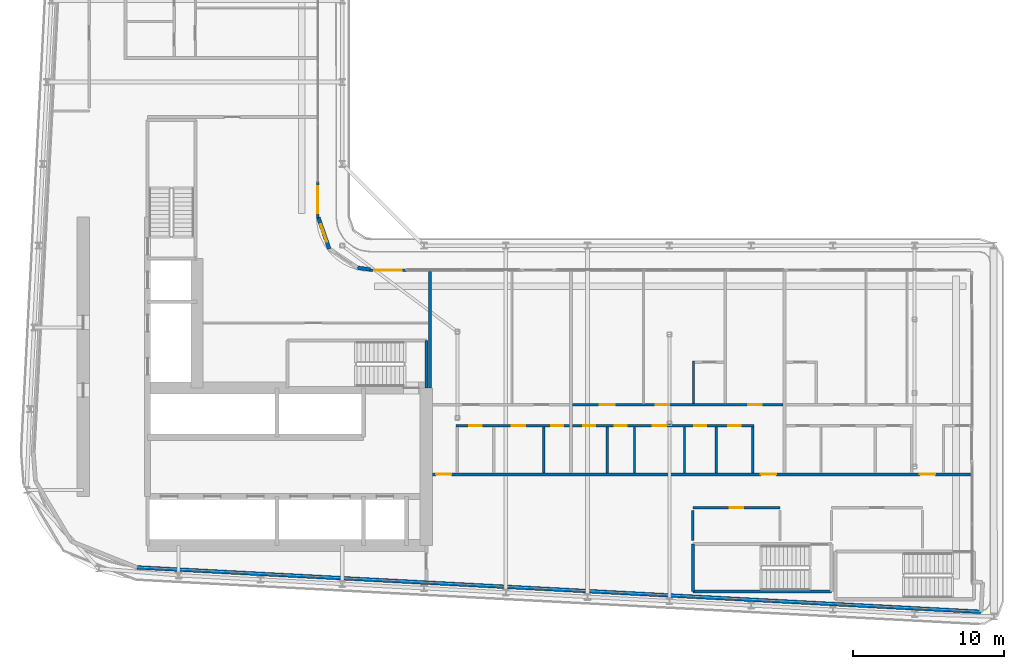
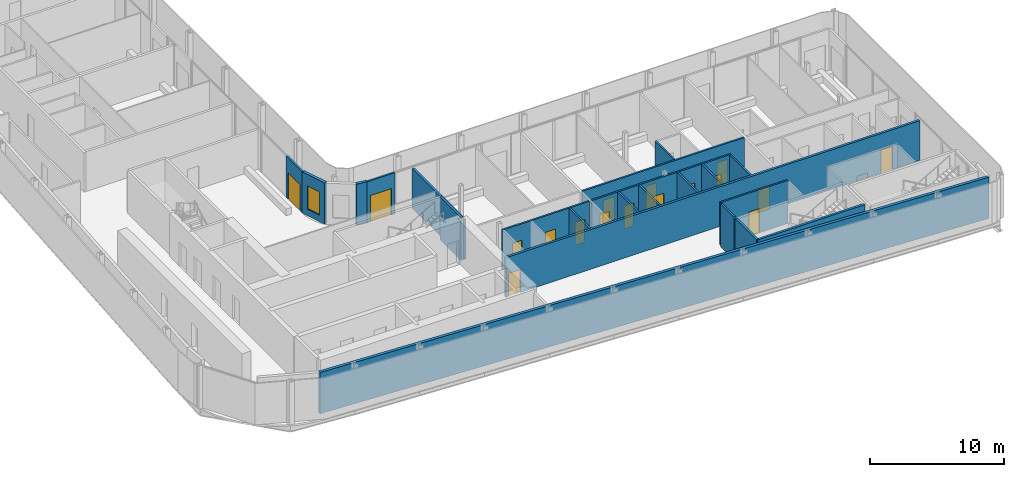
# One storey, part 14 of 26: 22 walls, 17 doors, 1 window, 18 openings.
"""IFC4 building model written with IfcOpenShell, lengths in metres."""

from ifc_helpers import new_model, si_unit, direction, frame, frame_2d, origin, place, context, subcontext, project, spatial, rectangle, extrude, source, transform, mapped, material, layer, layer_set, type_object, element, fill, save


model = new_model("IFC4")

# Units and contexts
model_context = context("Model", 3, precision=1e-05, world=origin(), true_north=direction((0.0, 1.0)))
body_context = subcontext(model_context, "Body", "Model", "MODEL_VIEW")
ifc_project = project(units=[si_unit("LENGTHUNIT", "METRE"), si_unit("AREAUNIT", "SQUARE_METRE"), si_unit("VOLUMEUNIT", "CUBIC_METRE"), si_unit("PLANEANGLEUNIT", "RADIAN"), si_unit("MASSUNIT", "GRAM", prefix="KILO")], contexts=[model_context])

# Site, building, storey
site_placement = place(None, origin())
site = spatial("IfcSite", under=ifc_project, at=site_placement, CompositionType="ELEMENT")
building_placement = place(site_placement, origin())
building = spatial("IfcBuilding", under=site, at=building_placement, Name="Kheshtan School and Residences Tower", CompositionType="ELEMENT")
storey_placement = place(building_placement, frame((0.0, 0.0, 156.5)))
storey = spatial("IfcBuildingStorey", under=building, at=storey_placement, Name="L36", CompositionType="ELEMENT", Elevation=156.5)

# Wall, openings, doors
ifc_material_1 = material(Name="Gypsum board on steel studs with fire boards", Category="steel")
ifc_layer_1 = layer(ifc_material_1, 0.199951171875)
ifc_layer_set_1 = layer_set([ifc_layer_1], Name="Corridor wall 200")
wall_type_1 = type_object("IfcWallType", Name="Corridor wall 200", PredefinedType="PARTITIONING", material=ifc_layer_set_1)
wall_1_placement = place(storey_placement, frame((53.549072265625, 30.5, 0.0), z_axis=(0.0, 0.0, 1.0), x_axis=(1.0, 0.0, 0.0)))
wall_1 = element("IfcWall", 1, at=wall_1_placement, inside=storey, type_object=wall_type_1, Name="Partition L36-032", PredefinedType="PARTITIONING", context=body_context, shape_type="SweptSolid", body=[
    extrude(rectangle(XDim=35.551025390625, YDim=0.199951171875, at=frame_2d((17.775390625, 0.0))), origin(), (0.0, 0.0, 1.0), 3.60009765625),
])
opening_1_placement = place(wall_1_placement, frame((0.2509765625, 0.0, 0.0)))
opening_1 = element("IfcOpeningElement", 2, at=opening_1_placement, cuts=wall_1, Name="Opening D35-003", PredefinedType="OPENING", context=body_context, shape_type="SweptSolid", body=[
    extrude(rectangle(XDim=1.0, YDim=2.10009765625, at=frame_2d((0.5, 1.050048828125))), frame((0.0, 0.10986328125, 0.0), z_axis=(0.0, -1.0, 0.0), x_axis=(1.0, 0.0, 0.0)), (0.0, 0.0, 1.0), 0.219970703125),
])
opening_2_placement = place(wall_1_placement, frame((21.700927734375, 0.0, 0.0)))
opening_2 = element("IfcOpeningElement", 3, at=opening_2_placement, cuts=wall_1, Name="Opening D35-011", PredefinedType="OPENING", context=body_context, shape_type="SweptSolid", body=[
    extrude(rectangle(XDim=1.0, YDim=2.10009765625, at=frame_2d((0.5, 1.050048828125))), frame((0.0, 0.10986328125, 0.0), z_axis=(0.0, -1.0, 0.0), x_axis=(1.0, 0.0, 0.0)), (0.0, 0.0, 1.0), 0.219970703125),
])
opening_3_placement = place(wall_1_placement, frame((32.200927734375, 0.0, 0.0)))
opening_3 = element("IfcOpeningElement", 4, at=opening_3_placement, cuts=wall_1, Name="Opening D35-021", PredefinedType="OPENING", context=body_context, shape_type="SweptSolid", body=[
    extrude(rectangle(XDim=1.0, YDim=2.10009765625, at=frame_2d((0.5, 1.050048828125))), frame((0.0, 0.10986328125, 0.0), z_axis=(0.0, -1.0, 0.0), x_axis=(1.0, 0.0, 0.0)), (0.0, 0.0, 1.0), 0.219970703125),
])
ifc_material_2 = material(Name="Steel-framed fire-resisting door leaf", Category="steel")
door_type_1 = type_object("IfcDoorType", Name="Fire door FD30S 1000 x 2100", OperationType="SINGLE_SWING_LEFT", PredefinedType="DOOR", material=ifc_material_2)
shared_shape_1 = source(origin(), body_context, "Body", "SweptSolid", [
    extrude(rectangle(XDim=1.0, YDim=2.10009765625, at=frame_2d((0.5, 1.050048828125))), frame((0.0, 0.02490234375, 0.0), z_axis=(0.0, -1.0, 0.0), x_axis=(1.0, 0.0, 0.0)), (0.0, 0.0, 1.0), 0.050048828125),
])
door_1_placement = place(opening_1_placement, origin())
door_1 = element("IfcDoor", 5, at=door_1_placement, inside=storey, type_object=door_type_1, Name="Door D35-003", OperationType="SINGLE_SWING_LEFT", OverallHeight=2.10009765625, OverallWidth=1.0, PredefinedType="DOOR", context=body_context, shape_type="MappedRepresentation", body=[
    mapped(shared_shape_1, transform((0.0, 0.0, 0.0), x_axis=(1.0, 0.0, 0.0), y_axis=(0.0, 1.0, 0.0), z_axis=(0.0, 0.0, 1.0), scale=1.0)),
])
fill(opening_1, door_1)
door_2_placement = place(opening_2_placement, origin())
door_2 = element("IfcDoor", 6, at=door_2_placement, inside=storey, type_object=door_type_1, Name="Door D35-011", OperationType="SINGLE_SWING_LEFT", OverallHeight=2.10009765625, OverallWidth=1.0, PredefinedType="DOOR", context=body_context, shape_type="MappedRepresentation", body=[
    mapped(shared_shape_1, transform((0.0, 0.0, 0.0), x_axis=(1.0, 0.0, 0.0), y_axis=(0.0, 1.0, 0.0), z_axis=(0.0, 0.0, 1.0), scale=1.0)),
])
fill(opening_2, door_2)
door_3_placement = place(opening_3_placement, origin())
door_3 = element("IfcDoor", 7, at=door_3_placement, inside=storey, type_object=door_type_1, Name="Door D35-021", OperationType="SINGLE_SWING_RIGHT", OverallHeight=2.10009765625, OverallWidth=1.0, PredefinedType="DOOR", context=body_context, shape_type="MappedRepresentation", body=[
    mapped(shared_shape_1, transform((0.0, 0.0, 0.0), x_axis=(1.0, 0.0, 0.0), y_axis=(0.0, 1.0, 0.0), z_axis=(0.0, 0.0, 1.0), scale=1.0)),
])
fill(opening_3, door_3)

# Wall, opening, window
ifc_material_3 = material(Name="Concrete C40/50 with ceramic cladding and mineral wool insulation", Category="concrete")
ifc_layer_2 = layer(ifc_material_3, 0.25)
ifc_layer_set_2 = layer_set([ifc_layer_2], Name="External wall 250 ceramic clad")
wall_type_2 = type_object("IfcWallType", Name="External wall 250 ceramic clad", PredefinedType="SOLIDWALL", material=ifc_layer_set_2)
wall_2_placement = place(storey_placement, frame((46.01806640625, 47.470947265625, 0.0), z_axis=(0.0, 0.0, 1.0), x_axis=(0.328791208903, -0.944402637093, 0.0)))
wall_2 = element("IfcWall", 8, at=wall_2_placement, inside=storey, type_object=wall_type_2, Name="External wall L36 9", PredefinedType="SOLIDWALL", context=body_context, shape_type="SweptSolid", body=[
    extrude(rectangle(XDim=2.20458984375, YDim=0.25, at=frame_2d((1.102294921875, 0.0))), origin(), (0.0, 0.0, 1.0), 3.75),
])
opening_4_placement = place(wall_2_placement, frame((0.5029296875, 0.0, 0.60009765625)))
opening_4 = element("IfcOpeningElement", 9, at=opening_4_placement, cuts=wall_2, Name="Opening WN-E", PredefinedType="OPENING", context=body_context, shape_type="SweptSolid", body=[
    extrude(rectangle(XDim=1.199951171875, YDim=2.10009765625, at=frame_2d((0.60009765625, 1.050048828125))), frame((0.0, 0.135009765625, 0.0), z_axis=(0.0, -1.0, 0.0), x_axis=(1.0, 0.0, 0.0)), (0.0, 0.0, 1.0), 0.27001953125),
])
ifc_material_4 = material(Name="Clear low-e glass in thermally broken aluminium frame", Category="aluminium")
window_type = type_object("IfcWindowType", Name="Window WN-E", PartitioningType="SINGLE_PANEL", PredefinedType="WINDOW", material=ifc_material_4)
shared_shape_2 = source(origin(), body_context, "Body", "SweptSolid", [
    extrude(rectangle(XDim=1.199951171875, YDim=2.10009765625, at=frame_2d((0.60009765625, 1.050048828125))), frame((0.0, 0.030029296875, 0.0), z_axis=(0.0, -1.0, 0.0), x_axis=(1.0, 0.0, 0.0)), (0.0, 0.0, 1.0), 0.06005859375),
])
window_placement = place(opening_4_placement, origin())
window = element("IfcWindow", 10, at=window_placement, inside=storey, type_object=window_type, Name="Window L36 9", OverallHeight=2.10009765625, OverallWidth=1.199951171875, PartitioningType="SINGLE_PANEL", PredefinedType="WINDOW", context=body_context, shape_type="MappedRepresentation", body=[
    mapped(shared_shape_2, transform((0.0, 0.0, 0.0), x_axis=(1.0, 0.0, 0.0), y_axis=(0.0, 1.0, 0.0), z_axis=(0.0, 0.0, 1.0), scale=1.0)),
])
fill(opening_4, window)

# Walls
wall_3_placement = place(storey_placement, frame((48.614990234375, 44.137939453125, 0.0), z_axis=(0.0, 0.0, 1.0), x_axis=(0.990741504246, -0.135761819977, 0.0)))
element("IfcWall", 11, at=wall_3_placement, inside=storey, type_object=wall_type_2, Name="External wall L36 11", PredefinedType="SOLIDWALL", context=body_context, shape_type="SweptSolid", body=[
    extrude(rectangle(XDim=0.83984375, YDim=0.25, at=frame_2d((0.419921875, 0.0))), origin(), (0.0, 0.0, 1.0), 3.75),
])
wall_4_placement = place(storey_placement, frame((89.785888671875, 21.4189453125, 0.0), z_axis=(0.0, 0.0, 1.0), x_axis=(-0.998617793089, 0.052559521752, 0.0)))
element("IfcWall", 12, at=wall_4_placement, inside=storey, type_object=wall_type_2, Name="External wall L36 16", PredefinedType="SOLIDWALL", context=body_context, shape_type="SweptSolid", body=[
    extrude(rectangle(XDim=55.823974609375, YDim=0.25, at=frame_2d((27.912109375, 0.0))), origin(), (0.0, 0.0, 1.0), 3.75),
])

# Wall, opening, door
ifc_material_5 = material(Name="Aluminium frame wall with insulated infill", Category="aluminium")
ifc_layer_3 = layer(ifc_material_5, 0.14990234375)
ifc_layer_set_3 = layer_set([ifc_layer_3], Name="Glazing frame wall 150")
wall_type_3 = type_object("IfcWallType", Name="Glazing frame wall 150", PredefinedType="SOLIDWALL", material=ifc_layer_set_3)
wall_5_placement = place(storey_placement, frame((45.97509765625, 49.830078125, 0.0), z_axis=(0.0, 0.0, 1.0), x_axis=(0.0, -1.0, 0.0)))
wall_5 = element("IfcWall", 13, at=wall_5_placement, inside=storey, type_object=wall_type_3, Name="Balcony door wall L36 8.5", PredefinedType="SOLIDWALL", context=body_context, shape_type="SweptSolid", body=[
    extrude(rectangle(XDim=2.400146484375, YDim=0.14990234375, at=frame_2d((1.2001953125, 0.0))), origin(), (0.0, 0.0, 1.0), 3.75),
])
opening_5_placement = place(wall_5_placement, frame((0.300048828125, 0.0, 0.0)))
opening_5 = element("IfcOpeningElement", 14, at=opening_5_placement, cuts=wall_5, Name="Opening BD", PredefinedType="OPENING", context=body_context, shape_type="SweptSolid", body=[
    extrude(rectangle(XDim=1.800048828125, YDim=2.39990234375, at=frame_2d((0.89990234375, 1.199951171875))), frame((0.0, 0.0849609375, 0.0), z_axis=(0.0, -1.0, 0.0), x_axis=(1.0, 0.0, 0.0)), (0.0, 0.0, 1.0), 0.169921875),
])
door_type_2 = type_object("IfcDoorType", Name="Balcony sliding door", OperationType="SLIDING_TO_LEFT", PredefinedType="DOOR", material=ifc_material_4)
shared_shape_3 = source(origin(), body_context, "Body", "SweptSolid", [
    extrude(rectangle(XDim=1.800048828125, YDim=2.39990234375, at=frame_2d((0.89990234375, 1.199951171875))), frame((0.0, 0.02490234375, 0.0), z_axis=(0.0, -1.0, 0.0), x_axis=(1.0, 0.0, 0.0)), (0.0, 0.0, 1.0), 0.050048828125),
])
door_4_placement = place(opening_5_placement, origin())
door_4 = element("IfcDoor", 15, at=door_4_placement, inside=storey, type_object=door_type_2, Name="Balcony door L36 8.5", OperationType="SLIDING_TO_LEFT", OverallHeight=2.39990234375, OverallWidth=1.800048828125, PredefinedType="DOOR", context=body_context, shape_type="MappedRepresentation", body=[
    mapped(shared_shape_3, transform((0.0, 0.0, 0.0), x_axis=(1.0, 0.0, 0.0), y_axis=(0.0, 1.0, 0.0), z_axis=(0.0, 0.0, 1.0), scale=1.0)),
])
fill(opening_5, door_4)

wall_6_placement = place(storey_placement, frame((49.429931640625, 43.97509765625, 0.0), z_axis=(0.0, 0.0, 1.0), x_axis=(1.0, 0.0, 0.0)))
wall_6 = element("IfcWall", 16, at=wall_6_placement, inside=storey, type_object=wall_type_3, Name="Balcony door wall L36 12.1", PredefinedType="SOLIDWALL", context=body_context, shape_type="SweptSolid", body=[
    extrude(rectangle(XDim=2.400146484375, YDim=0.14990234375, at=frame_2d((1.2001953125, 0.0))), origin(), (0.0, 0.0, 1.0), 3.75),
])
opening_6_placement = place(wall_6_placement, frame((0.300048828125, 0.0, 0.0)))
opening_6 = element("IfcOpeningElement", 17, at=opening_6_placement, cuts=wall_6, Name="Opening BD", PredefinedType="OPENING", context=body_context, shape_type="SweptSolid", body=[
    extrude(rectangle(XDim=1.800048828125, YDim=2.39990234375, at=frame_2d((0.89990234375, 1.199951171875))), frame((0.0, 0.0849609375, 0.0), z_axis=(0.0, -1.0, 0.0), x_axis=(1.0, 0.0, 0.0)), (0.0, 0.0, 1.0), 0.169921875),
])
door_5_placement = place(opening_6_placement, origin())
door_5 = element("IfcDoor", 18, at=door_5_placement, inside=storey, type_object=door_type_2, Name="Balcony door L36 12.1", OperationType="SLIDING_TO_LEFT", OverallHeight=2.39990234375, OverallWidth=1.800048828125, PredefinedType="DOOR", context=body_context, shape_type="MappedRepresentation", body=[
    mapped(shared_shape_3, transform((0.0, 0.0, 0.0), x_axis=(1.0, 0.0, 0.0), y_axis=(0.0, 1.0, 0.0), z_axis=(0.0, 0.0, 1.0), scale=1.0)),
])
fill(opening_6, door_5)

ifc_material_6 = material(Name="Fire-board shaft wall system")
ifc_layer_4 = layer(ifc_material_6, 0.14990234375)
ifc_layer_set_4 = layer_set([ifc_layer_4], Name="Service room wall 150")
wall_type_4 = type_object("IfcWallType", Name="Service room wall 150", PredefinedType="PARTITIONING", material=ifc_layer_set_4)
wall_7_placement = place(storey_placement, frame((70.75, 28.300048828125, 0.0), z_axis=(0.0, 0.0, 1.0), x_axis=(1.0, 0.0, 0.0)))
wall_7 = element("IfcWall", 19, at=wall_7_placement, inside=storey, type_object=wall_type_4, Name="Service room wall", PredefinedType="PARTITIONING", context=body_context, shape_type="SweptSolid", body=[
    extrude(rectangle(XDim=5.760009765625, YDim=0.14990234375, at=frame_2d((2.8798828125, 0.0))), origin(), (0.0, 0.0, 1.0), 3.89990234375),
])
opening_7_placement = place(wall_7_placement, frame((2.429931640625, 0.0, 0.0)))
opening_7 = element("IfcOpeningElement", 20, at=opening_7_placement, cuts=wall_7, Name="Opening SR90", PredefinedType="OPENING", context=body_context, shape_type="SweptSolid", body=[
    extrude(rectangle(XDim=0.89990234375, YDim=2.199951171875, at=frame_2d((0.449951171875, 1.10009765625))), frame((0.0, 0.0849609375, 0.0), z_axis=(0.0, -1.0, 0.0), x_axis=(1.0, 0.0, 0.0)), (0.0, 0.0, 1.0), 0.169921875),
])
ifc_material_7 = material(Name="Steel door leaf, galvanised", Category="steel")
door_type_3 = type_object("IfcDoorType", Name="Service room door 900 steel 90 min", OperationType="SINGLE_SWING_LEFT", PredefinedType="DOOR", material=ifc_material_7)
shared_shape_4 = source(origin(), body_context, "Body", "SweptSolid", [
    extrude(rectangle(XDim=0.89990234375, YDim=2.199951171875, at=frame_2d((0.449951171875, 1.10009765625))), frame((0.0, 0.02490234375, 0.0), z_axis=(0.0, -1.0, 0.0), x_axis=(1.0, 0.0, 0.0)), (0.0, 0.0, 1.0), 0.050048828125),
])
door_6_placement = place(opening_7_placement, origin())
door_6 = element("IfcDoor", 21, at=door_6_placement, inside=storey, type_object=door_type_3, Name="Service room door", OperationType="SINGLE_SWING_LEFT", OverallHeight=2.199951171875, OverallWidth=0.89990234375, PredefinedType="DOOR", context=body_context, shape_type="MappedRepresentation", body=[
    mapped(shared_shape_4, transform((0.0, 0.0, 0.0), x_axis=(1.0, 0.0, 0.0), y_axis=(0.0, 1.0, 0.0), z_axis=(0.0, 0.0, 1.0), scale=1.0)),
])
fill(opening_7, door_6)

# Walls
wall_8_placement = place(storey_placement, frame((70.75, 26.1201171875, 0.0), z_axis=(0.0, 0.0, 1.0), x_axis=(0.0, 1.0, 0.0)))
element("IfcWall", 22, at=wall_8_placement, inside=storey, type_object=wall_type_4, Name="Service room wall", PredefinedType="PARTITIONING", context=body_context, shape_type="SweptSolid", body=[
    extrude(rectangle(XDim=1.98486328125, YDim=0.14990234375, at=frame_2d((0.992431640625, 0.0))), origin(), (0.0, 0.0, 1.0), 3.89990234375),
])
ifc_material_8 = material(Name="Concrete C40/50", Category="concrete")
ifc_layer_5 = layer(ifc_material_8, 0.199951171875)
ifc_layer_set_5 = layer_set([ifc_layer_5], Name="Stair enclosure wall 200 Concrete C40/50")
wall_type_5 = type_object("IfcWallType", Name="Stair enclosure wall 200 Concrete C40/50", PredefinedType="SHEAR", material=ifc_layer_set_5)
wall_9_placement = place(storey_placement, frame((53.14990234375, 36.199951171875, 0.0), z_axis=(0.0, 0.0, 1.0), x_axis=(0.0, 1.0, 0.0)))
element("IfcWall", 23, at=wall_9_placement, inside=storey, type_object=wall_type_5, Name="Stair enclosure wall ST1", PredefinedType="SHEAR", context=body_context, shape_type="SweptSolid", body=[
    extrude(rectangle(XDim=3.150146484375, YDim=0.199951171875, at=frame_2d((1.5751953125, 0.0))), origin(), (0.0, 0.0, 1.0), 3.89990234375),
])
wall_10_placement = place(storey_placement, frame((70.75, 22.75, 0.0), z_axis=(0.0, 0.0, 1.0), x_axis=(1.0, 0.0, 0.0)))
element("IfcWall", 24, at=wall_10_placement, inside=storey, type_object=wall_type_5, Name="Stair enclosure wall ST5", PredefinedType="SHEAR", context=body_context, shape_type="SweptSolid", body=[
    extrude(rectangle(XDim=9.159912109375, YDim=0.199951171875, at=frame_2d((4.580078125, 0.0))), origin(), (0.0, 0.0, 1.0), 3.89990234375),
])
wall_11_placement = place(storey_placement, frame((70.75, 22.75, 0.0), z_axis=(0.0, 0.0, 1.0), x_axis=(0.0, 1.0, 0.0)))
element("IfcWall", 25, at=wall_11_placement, inside=storey, type_object=wall_type_5, Name="Stair enclosure wall ST5", PredefinedType="SHEAR", context=body_context, shape_type="SweptSolid", body=[
    extrude(rectangle(XDim=3.14990234375, YDim=0.199951171875, at=frame_2d((1.574951171875, 0.0))), origin(), (0.0, 0.0, 1.0), 3.89990234375),
])
ifc_material_9 = material(Name="Twin gypsum board on steel studs with mineral wool", Category="steel")
ifc_layer_6 = layer(ifc_material_9, 0.199951171875)
ifc_layer_set_6 = layer_set([ifc_layer_6], Name="Unit demising wall 200")
wall_type_6 = type_object("IfcWallType", Name="Unit demising wall 200", PredefinedType="PARTITIONING", material=ifc_layer_set_6)
wall_12_placement = place(storey_placement, frame((53.39990234375, 36.198974609375, 0.0), z_axis=(0.0, 0.0, 1.0), x_axis=(0.0, 1.0, 0.0)))
element("IfcWall", 26, at=wall_12_placement, inside=storey, type_object=wall_type_6, Name="Partition L36-031", PredefinedType="PARTITIONING", context=body_context, shape_type="SweptSolid", body=[
    extrude(rectangle(XDim=7.700927734375, YDim=0.199951171875, at=frame_2d((3.8505859375, 0.0))), origin(), (0.0, 0.0, 1.0), 3.60009765625),
])

# Wall, openings, doors
ifc_material_10 = material(Name="Moisture-resistant gypsum board on steel studs", Category="steel")
ifc_layer_7 = layer(ifc_material_10, 0.14990234375)
ifc_layer_set_7 = layer_set([ifc_layer_7], Name="Wet-room partition 150")
wall_type_7 = type_object("IfcWallType", Name="Wet-room partition 150", PredefinedType="PARTITIONING", material=ifc_layer_set_7)
wall_13_placement = place(storey_placement, frame((55.125, 33.699951171875, 0.0), z_axis=(0.0, 0.0, 1.0), x_axis=(1.0, 0.0, 0.0)))
wall_13 = element("IfcWall", 27, at=wall_13_placement, inside=storey, type_object=wall_type_7, Name="Partition L36-034", PredefinedType="PARTITIONING", context=body_context, shape_type="SweptSolid", body=[
    extrude(rectangle(XDim=7.47509765625, YDim=0.14990234375, at=frame_2d((3.737548828125, 0.0))), origin(), (0.0, 0.0, 1.0), 3.60009765625),
])
opening_8_placement = place(wall_13_placement, frame((0.875, 0.0, 0.0)))
opening_8 = element("IfcOpeningElement", 28, at=opening_8_placement, cuts=wall_13, Name="Opening D35-001", PredefinedType="OPENING", context=body_context, shape_type="SweptSolid", body=[
    extrude(rectangle(XDim=0.800048828125, YDim=2.10009765625, at=frame_2d((0.39990234375, 1.050048828125))), frame((0.0, 0.0849609375, 0.0), z_axis=(0.0, -1.0, 0.0), x_axis=(1.0, 0.0, 0.0)), (0.0, 0.0, 1.0), 0.169921875),
])
opening_9_placement = place(wall_13_placement, frame((3.675048828125, 0.0, 0.0)))
opening_9 = element("IfcOpeningElement", 29, at=opening_9_placement, cuts=wall_13, Name="Opening D35-004", PredefinedType="OPENING", context=body_context, shape_type="SweptSolid", body=[
    extrude(rectangle(XDim=0.89990234375, YDim=2.10009765625, at=frame_2d((0.449951171875, 1.050048828125))), frame((0.0, 0.0849609375, 0.0), z_axis=(0.0, -1.0, 0.0), x_axis=(1.0, 0.0, 0.0)), (0.0, 0.0, 1.0), 0.169921875),
])
opening_10_placement = place(wall_13_placement, frame((6.27490234375, 0.0, 0.0)))
opening_10 = element("IfcOpeningElement", 30, at=opening_10_placement, cuts=wall_13, Name="Opening D35-006", PredefinedType="OPENING", context=body_context, shape_type="SweptSolid", body=[
    extrude(rectangle(XDim=0.800048828125, YDim=2.10009765625, at=frame_2d((0.39990234375, 1.050048828125))), frame((0.0, 0.0849609375, 0.0), z_axis=(0.0, -1.0, 0.0), x_axis=(1.0, 0.0, 0.0)), (0.0, 0.0, 1.0), 0.169921875),
])
ifc_material_11 = material(Name="Veneered timber door leaf", Category="wood")
door_type_4 = type_object("IfcDoorType", Name="Door 800 x 2100", OperationType="SINGLE_SWING_LEFT", PredefinedType="DOOR", material=ifc_material_11)
shared_shape_5 = source(origin(), body_context, "Body", "SweptSolid", [
    extrude(rectangle(XDim=0.800048828125, YDim=2.10009765625, at=frame_2d((0.39990234375, 1.050048828125))), frame((0.0, 0.02490234375, 0.0), z_axis=(0.0, -1.0, 0.0), x_axis=(1.0, 0.0, 0.0)), (0.0, 0.0, 1.0), 0.050048828125),
])
door_7_placement = place(opening_8_placement, origin())
door_7 = element("IfcDoor", 31, at=door_7_placement, inside=storey, type_object=door_type_4, Name="Door D35-001", OperationType="SINGLE_SWING_RIGHT", OverallHeight=2.10009765625, OverallWidth=0.800048828125, PredefinedType="DOOR", context=body_context, shape_type="MappedRepresentation", body=[
    mapped(shared_shape_5, transform((0.0, 0.0, 0.0), x_axis=(1.0, 0.0, 0.0), y_axis=(0.0, 1.0, 0.0), z_axis=(0.0, 0.0, 1.0), scale=1.0)),
])
fill(opening_8, door_7)
door_8_placement = place(opening_10_placement, origin())
door_8 = element("IfcDoor", 32, at=door_8_placement, inside=storey, type_object=door_type_4, Name="Door D35-006", OperationType="SINGLE_SWING_RIGHT", OverallHeight=2.10009765625, OverallWidth=0.800048828125, PredefinedType="DOOR", context=body_context, shape_type="MappedRepresentation", body=[
    mapped(shared_shape_5, transform((0.0, 0.0, 0.0), x_axis=(1.0, 0.0, 0.0), y_axis=(0.0, 1.0, 0.0), z_axis=(0.0, 0.0, 1.0), scale=1.0)),
])
fill(opening_10, door_8)
door_type_5 = type_object("IfcDoorType", Name="Door 900 x 2100", OperationType="SINGLE_SWING_LEFT", PredefinedType="DOOR", material=ifc_material_11)
shared_shape_6 = source(origin(), body_context, "Body", "SweptSolid", [
    extrude(rectangle(XDim=0.89990234375, YDim=2.10009765625, at=frame_2d((0.449951171875, 1.050048828125))), frame((0.0, 0.02490234375, 0.0), z_axis=(0.0, -1.0, 0.0), x_axis=(1.0, 0.0, 0.0)), (0.0, 0.0, 1.0), 0.050048828125),
])
door_9_placement = place(opening_9_placement, origin())
door_9 = element("IfcDoor", 33, at=door_9_placement, inside=storey, type_object=door_type_5, Name="Door D35-004", OperationType="SINGLE_SWING_RIGHT", OverallHeight=2.10009765625, OverallWidth=0.89990234375, PredefinedType="DOOR", context=body_context, shape_type="MappedRepresentation", body=[
    mapped(shared_shape_6, transform((0.0, 0.0, 0.0), x_axis=(1.0, 0.0, 0.0), y_axis=(0.0, 1.0, 0.0), z_axis=(0.0, 0.0, 1.0), scale=1.0)),
])
fill(opening_9, door_9)

# Wall
wall_14_placement = place(storey_placement, frame((60.89990234375, 30.60009765625, 0.0), z_axis=(0.0, 0.0, 1.0), x_axis=(0.0, 1.0, 0.0)))
element("IfcWall", 34, at=wall_14_placement, inside=storey, type_object=wall_type_7, Name="Partition L36-038", PredefinedType="PARTITIONING", context=body_context, shape_type="SweptSolid", body=[
    extrude(rectangle(XDim=3.02490234375, YDim=0.14990234375, at=frame_2d((1.512451171875, 0.0))), origin(), (0.0, 0.0, 1.0), 3.60009765625),
])

# Wall, openings, doors
wall_15_placement = place(storey_placement, frame((62.800048828125, 33.699951171875, 0.0), z_axis=(0.0, 0.0, 1.0), x_axis=(1.0, 0.0, 0.0)))
wall_15 = element("IfcWall", 35, at=wall_15_placement, inside=storey, type_object=wall_type_7, Name="Partition L36-040", PredefinedType="PARTITIONING", context=body_context, shape_type="SweptSolid", body=[
    extrude(rectangle(XDim=11.974853515625, YDim=0.14990234375, at=frame_2d((5.9873046875, 0.0))), origin(), (0.0, 0.0, 1.0), 3.60009765625),
])
opening_11_placement = place(wall_15_placement, frame((10.300048828125, 0.0, 0.0)))
opening_11 = element("IfcOpeningElement", 36, at=opening_11_placement, cuts=wall_15, Name="Opening D35-007", PredefinedType="OPENING", context=body_context, shape_type="SweptSolid", body=[
    extrude(rectangle(XDim=0.800048828125, YDim=2.10009765625, at=frame_2d((0.39990234375, 1.050048828125))), frame((0.0, 0.0849609375, 0.0), z_axis=(0.0, -1.0, 0.0), x_axis=(1.0, 0.0, 0.0)), (0.0, 0.0, 1.0), 0.169921875),
])
opening_12_placement = place(wall_15_placement, frame((0.699951171875, 0.0, 0.0)))
opening_12 = element("IfcOpeningElement", 37, at=opening_12_placement, cuts=wall_15, Name="Opening D35-009", PredefinedType="OPENING", context=body_context, shape_type="SweptSolid", body=[
    extrude(rectangle(XDim=0.800048828125, YDim=2.10009765625, at=frame_2d((0.39990234375, 1.050048828125))), frame((0.0, 0.0849609375, 0.0), z_axis=(0.0, -1.0, 0.0), x_axis=(1.0, 0.0, 0.0)), (0.0, 0.0, 1.0), 0.169921875),
])
opening_13_placement = place(wall_15_placement, frame((5.300048828125, 0.0, 0.0)))
opening_13 = element("IfcOpeningElement", 38, at=opening_13_placement, cuts=wall_15, Name="Opening D35-012", PredefinedType="OPENING", context=body_context, shape_type="SweptSolid", body=[
    extrude(rectangle(XDim=0.89990234375, YDim=2.10009765625, at=frame_2d((0.449951171875, 1.050048828125))), frame((0.0, 0.0849609375, 0.0), z_axis=(0.0, -1.0, 0.0), x_axis=(1.0, 0.0, 0.0)), (0.0, 0.0, 1.0), 0.169921875),
])
opening_14_placement = place(wall_15_placement, frame((8.050048828125, 0.0, 0.0)))
opening_14 = element("IfcOpeningElement", 39, at=opening_14_placement, cuts=wall_15, Name="Opening D35-013", PredefinedType="OPENING", context=body_context, shape_type="SweptSolid", body=[
    extrude(rectangle(XDim=0.800048828125, YDim=2.10009765625, at=frame_2d((0.39990234375, 1.050048828125))), frame((0.0, 0.0849609375, 0.0), z_axis=(0.0, -1.0, 0.0), x_axis=(1.0, 0.0, 0.0)), (0.0, 0.0, 1.0), 0.169921875),
])
opening_15_placement = place(wall_15_placement, frame((2.800048828125, 0.0, 0.0)))
opening_15 = element("IfcOpeningElement", 40, at=opening_15_placement, cuts=wall_15, Name="Opening D35-016", PredefinedType="OPENING", context=body_context, shape_type="SweptSolid", body=[
    extrude(rectangle(XDim=0.800048828125, YDim=2.10009765625, at=frame_2d((0.39990234375, 1.050048828125))), frame((0.0, 0.0849609375, 0.0), z_axis=(0.0, -1.0, 0.0), x_axis=(1.0, 0.0, 0.0)), (0.0, 0.0, 1.0), 0.169921875),
])
door_10_placement = place(opening_11_placement, origin())
door_10 = element("IfcDoor", 41, at=door_10_placement, inside=storey, type_object=door_type_4, Name="Door D35-007", OperationType="SINGLE_SWING_RIGHT", OverallHeight=2.10009765625, OverallWidth=0.800048828125, PredefinedType="DOOR", context=body_context, shape_type="MappedRepresentation", body=[
    mapped(shared_shape_5, transform((0.0, 0.0, 0.0), x_axis=(1.0, 0.0, 0.0), y_axis=(0.0, 1.0, 0.0), z_axis=(0.0, 0.0, 1.0), scale=1.0)),
])
fill(opening_11, door_10)
door_11_placement = place(opening_12_placement, origin())
door_11 = element("IfcDoor", 42, at=door_11_placement, inside=storey, type_object=door_type_4, Name="Door D35-009", OperationType="SINGLE_SWING_RIGHT", OverallHeight=2.10009765625, OverallWidth=0.800048828125, PredefinedType="DOOR", context=body_context, shape_type="MappedRepresentation", body=[
    mapped(shared_shape_5, transform((0.0, 0.0, 0.0), x_axis=(1.0, 0.0, 0.0), y_axis=(0.0, 1.0, 0.0), z_axis=(0.0, 0.0, 1.0), scale=1.0)),
])
fill(opening_12, door_11)
door_12_placement = place(opening_14_placement, origin())
door_12 = element("IfcDoor", 43, at=door_12_placement, inside=storey, type_object=door_type_4, Name="Door D35-013", OperationType="SINGLE_SWING_LEFT", OverallHeight=2.10009765625, OverallWidth=0.800048828125, PredefinedType="DOOR", context=body_context, shape_type="MappedRepresentation", body=[
    mapped(shared_shape_5, transform((0.0, 0.0, 0.0), x_axis=(1.0, 0.0, 0.0), y_axis=(0.0, 1.0, 0.0), z_axis=(0.0, 0.0, 1.0), scale=1.0)),
])
fill(opening_14, door_12)
door_13_placement = place(opening_15_placement, origin())
door_13 = element("IfcDoor", 44, at=door_13_placement, inside=storey, type_object=door_type_4, Name="Door D35-016", OperationType="SINGLE_SWING_LEFT", OverallHeight=2.10009765625, OverallWidth=0.800048828125, PredefinedType="DOOR", context=body_context, shape_type="MappedRepresentation", body=[
    mapped(shared_shape_5, transform((0.0, 0.0, 0.0), x_axis=(1.0, 0.0, 0.0), y_axis=(0.0, 1.0, 0.0), z_axis=(0.0, 0.0, 1.0), scale=1.0)),
])
fill(opening_15, door_13)
door_14_placement = place(opening_13_placement, origin())
door_14 = element("IfcDoor", 45, at=door_14_placement, inside=storey, type_object=door_type_5, Name="Door D35-012", OperationType="SINGLE_SWING_RIGHT", OverallHeight=2.10009765625, OverallWidth=0.89990234375, PredefinedType="DOOR", context=body_context, shape_type="MappedRepresentation", body=[
    mapped(shared_shape_6, transform((0.0, 0.0, 0.0), x_axis=(1.0, 0.0, 0.0), y_axis=(0.0, 1.0, 0.0), z_axis=(0.0, 0.0, 1.0), scale=1.0)),
])
fill(opening_13, door_14)

wall_16_placement = place(storey_placement, frame((62.800048828125, 35.10009765625, 0.0), z_axis=(0.0, 0.0, 1.0), x_axis=(1.0, 0.0, 0.0)))
wall_16 = element("IfcWall", 46, at=wall_16_placement, inside=storey, type_object=wall_type_7, Name="Partition L36-041", PredefinedType="PARTITIONING", context=body_context, shape_type="SweptSolid", body=[
    extrude(rectangle(XDim=13.89990234375, YDim=0.14990234375, at=frame_2d((6.949951171875, 0.0))), origin(), (0.0, 0.0, 1.0), 3.60009765625),
])
opening_16_placement = place(wall_16_placement, frame((11.60009765625, 0.0, 0.0)))
opening_16 = element("IfcOpeningElement", 47, at=opening_16_placement, cuts=wall_16, Name="Opening D35-008", PredefinedType="OPENING", context=body_context, shape_type="SweptSolid", body=[
    extrude(rectangle(XDim=0.89990234375, YDim=2.10009765625, at=frame_2d((0.449951171875, 1.050048828125))), frame((0.0, 0.0849609375, 0.0), z_axis=(0.0, -1.0, 0.0), x_axis=(1.0, 0.0, 0.0)), (0.0, 0.0, 1.0), 0.169921875),
])
opening_17_placement = place(wall_16_placement, frame((1.800048828125, 0.0, 0.0)))
opening_17 = element("IfcOpeningElement", 48, at=opening_17_placement, cuts=wall_16, Name="Opening D35-014", PredefinedType="OPENING", context=body_context, shape_type="SweptSolid", body=[
    extrude(rectangle(XDim=1.0, YDim=2.10009765625, at=frame_2d((0.5, 1.050048828125))), frame((0.0, 0.0849609375, 0.0), z_axis=(0.0, -1.0, 0.0), x_axis=(1.0, 0.0, 0.0)), (0.0, 0.0, 1.0), 0.169921875),
])
opening_18_placement = place(wall_16_placement, frame((5.5, 0.0, 0.0)))
opening_18 = element("IfcOpeningElement", 49, at=opening_18_placement, cuts=wall_16, Name="Opening D35-015", PredefinedType="OPENING", context=body_context, shape_type="SweptSolid", body=[
    extrude(rectangle(XDim=0.89990234375, YDim=2.10009765625, at=frame_2d((0.449951171875, 1.050048828125))), frame((0.0, 0.0849609375, 0.0), z_axis=(0.0, -1.0, 0.0), x_axis=(1.0, 0.0, 0.0)), (0.0, 0.0, 1.0), 0.169921875),
])
door_type_6 = type_object("IfcDoorType", Name="Door 1000 x 2100", OperationType="SINGLE_SWING_LEFT", PredefinedType="DOOR", material=ifc_material_11)
shared_shape_7 = source(origin(), body_context, "Body", "SweptSolid", [
    extrude(rectangle(XDim=1.0, YDim=2.10009765625, at=frame_2d((0.5, 1.050048828125))), frame((0.0, 0.02490234375, 0.0), z_axis=(0.0, -1.0, 0.0), x_axis=(1.0, 0.0, 0.0)), (0.0, 0.0, 1.0), 0.050048828125),
])
door_15_placement = place(opening_17_placement, origin())
door_15 = element("IfcDoor", 50, at=door_15_placement, inside=storey, type_object=door_type_6, Name="Door D35-014", OperationType="SINGLE_SWING_LEFT", OverallHeight=2.10009765625, OverallWidth=1.0, PredefinedType="DOOR", context=body_context, shape_type="MappedRepresentation", body=[
    mapped(shared_shape_7, transform((0.0, 0.0, 0.0), x_axis=(1.0, 0.0, 0.0), y_axis=(0.0, 1.0, 0.0), z_axis=(0.0, 0.0, 1.0), scale=1.0)),
])
fill(opening_17, door_15)
door_16_placement = place(opening_16_placement, origin())
door_16 = element("IfcDoor", 51, at=door_16_placement, inside=storey, type_object=door_type_5, Name="Door D35-008", OperationType="SINGLE_SWING_LEFT", OverallHeight=2.10009765625, OverallWidth=0.89990234375, PredefinedType="DOOR", context=body_context, shape_type="MappedRepresentation", body=[
    mapped(shared_shape_6, transform((0.0, 0.0, 0.0), x_axis=(1.0, 0.0, 0.0), y_axis=(0.0, 1.0, 0.0), z_axis=(0.0, 0.0, 1.0), scale=1.0)),
])
fill(opening_16, door_16)
door_17_placement = place(opening_18_placement, origin())
door_17 = element("IfcDoor", 52, at=door_17_placement, inside=storey, type_object=door_type_5, Name="Door D35-015", OperationType="SINGLE_SWING_RIGHT", OverallHeight=2.10009765625, OverallWidth=0.89990234375, PredefinedType="DOOR", context=body_context, shape_type="MappedRepresentation", body=[
    mapped(shared_shape_6, transform((0.0, 0.0, 0.0), x_axis=(1.0, 0.0, 0.0), y_axis=(0.0, 1.0, 0.0), z_axis=(0.0, 0.0, 1.0), scale=1.0)),
])
fill(opening_18, door_17)

# Walls
for number, where, z_axis, x_axis, name in (
    (53, (65.10009765625, 30.60009765625, 0.0), (0.0, 0.0, 1.0), (0.0, 1.0, 0.0), "Partition L36-042"),
    (54, (66.89990234375, 30.60009765625, 0.0), (0.0, 0.0, 1.0), (0.0, 1.0, 0.0), "Partition L36-043"),
    (55, (70.199951171875, 30.60009765625, 0.0), (0.0, 0.0, 1.0), (0.0, 1.0, 0.0), "Partition L36-045"),
):
    element("IfcWall", number, at=place(storey_placement, frame(where, z_axis=z_axis, x_axis=x_axis)), inside=storey, type_object=wall_type_7, Name=name, PredefinedType="PARTITIONING", context=body_context, shape_type="SweptSolid", body=[
        extrude(rectangle(XDim=3.02490234375, YDim=0.14990234375, at=frame_2d((1.512451171875, 0.0))), origin(), (0.0, 0.0, 1.0), 3.60009765625),
    ])
wall_17_placement = place(storey_placement, frame((70.800048828125, 35.175048828125, 0.0), z_axis=(0.0, 0.0, 1.0), x_axis=(0.0, 1.0, 0.0)))
element("IfcWall", 56, at=wall_17_placement, inside=storey, type_object=wall_type_7, Name="Partition L36-046", PredefinedType="PARTITIONING", context=body_context, shape_type="SweptSolid", body=[
    extrude(rectangle(XDim=2.800048828125, YDim=0.14990234375, at=frame_2d((1.39990234375, 0.0))), origin(), (0.0, 0.0, 1.0), 3.60009765625),
])
for number, where, z_axis, x_axis, name in (
    (57, (72.300048828125, 30.60009765625, 0.0), (0.0, 0.0, 1.0), (0.0, 1.0, 0.0), "Partition L36-048"),
    (58, (74.699951171875, 30.60009765625, 0.0), (0.0, 0.0, 1.0), (0.0, 1.0, 0.0), "Partition L36-050"),
):
    element("IfcWall", number, at=place(storey_placement, frame(where, z_axis=z_axis, x_axis=x_axis)), inside=storey, type_object=wall_type_7, Name=name, PredefinedType="PARTITIONING", context=body_context, shape_type="SweptSolid", body=[
        extrude(rectangle(XDim=3.02490234375, YDim=0.14990234375, at=frame_2d((1.512451171875, 0.0))), origin(), (0.0, 0.0, 1.0), 3.60009765625),
    ])

save(model, "model.ifc")
